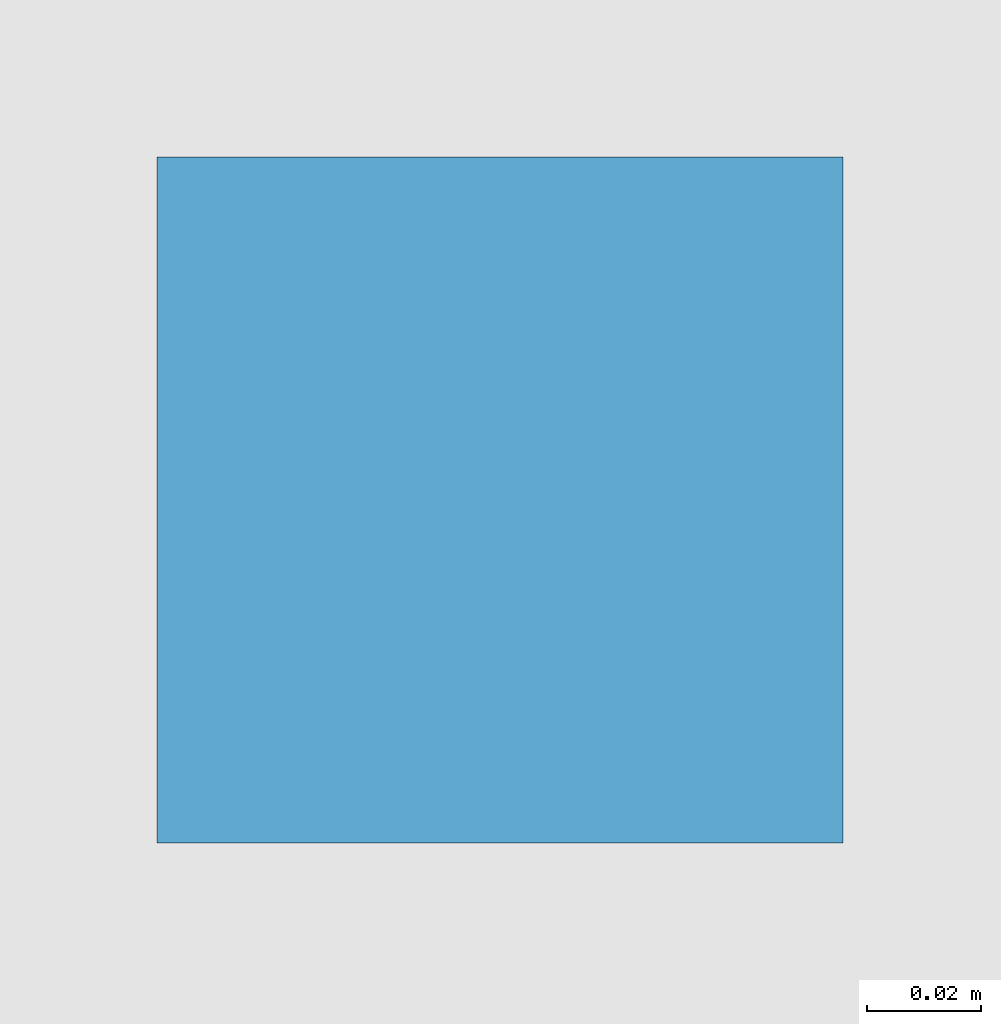
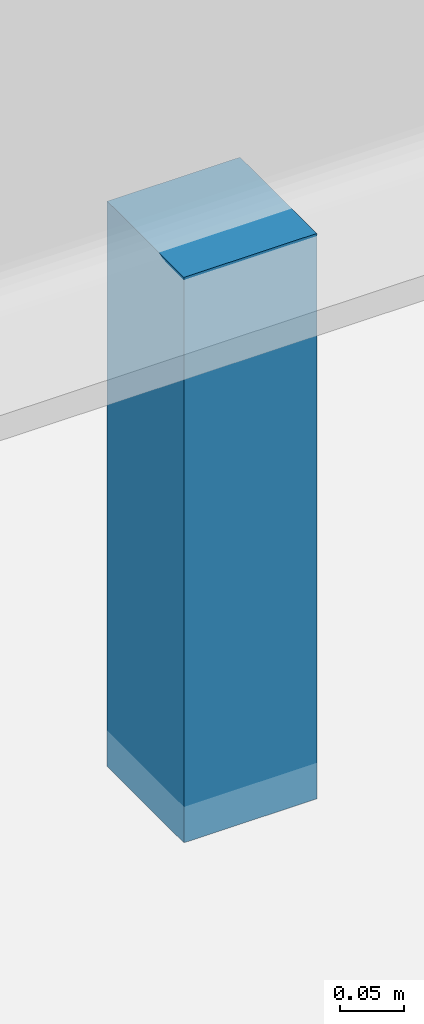
# One storey, part 71 of 100: 1 discrete accessory.
"""IFC4 building model written with IfcOpenShell, lengths in metres."""

from ifc_helpers import new_model, si_unit, direction, frame, origin, origin_2d, place, context, subcontext, project, spatial, rectangle, extrude, material, type_object, element, save


model = new_model("IFC4")

# Units and contexts
model_context = context("Model", 3, precision=1e-05, world=origin(), true_north=direction((0.0, 1.0)))
body_context = subcontext(model_context, "Body", "Model", "MODEL_VIEW")
ifc_project = project(units=[si_unit("LENGTHUNIT", "METRE"), si_unit("AREAUNIT", "SQUARE_METRE"), si_unit("VOLUMEUNIT", "CUBIC_METRE"), si_unit("PLANEANGLEUNIT", "RADIAN"), si_unit("MASSUNIT", "GRAM", prefix="KILO")], contexts=[model_context])

# Site, building, storey
site_placement = place(None, origin())
site = spatial("IfcSite", under=ifc_project, at=site_placement, CompositionType="ELEMENT")
building_placement = place(site_placement, origin())
building = spatial("IfcBuilding", under=site, at=building_placement, Name="Zlatogorsky Bluff Art Gallery", CompositionType="ELEMENT")
storey_placement = place(building_placement, frame((0.0, 0.0, 5.39990234375)))
storey = spatial("IfcBuildingStorey", under=building, at=storey_placement, Name="L01", CompositionType="ELEMENT", Elevation=5.39990234375)

# Discrete accessory
ifc_material = material(Name="Steel S355", Category="steel")
discrete_accessory_type = type_object("IfcDiscreteAccessoryType", Name="Stainless Facade Fin Bracket BRK-01", PredefinedType="BRACKET", material=ifc_material)
discrete_accessory_placement = place(storey_placement, frame((138.0, 96.0, 4.05517578125), z_axis=(0.0, 0.0, 1.0), x_axis=(1.0, 0.0, 0.0)))
element("IfcDiscreteAccessory", 1, at=discrete_accessory_placement, inside=storey, type_object=discrete_accessory_type, Name="Acoustic ceiling suspension hanger L01-ST-12", PredefinedType="BRACKET", context=body_context, shape_type="SweptSolid", body=[
    extrude(rectangle(XDim=0.1201171875, YDim=0.1201171875, at=origin_2d()), origin(), (0.0, 0.0, 1.0), 0.5400390625),
])

save(model, "model.ifc")
